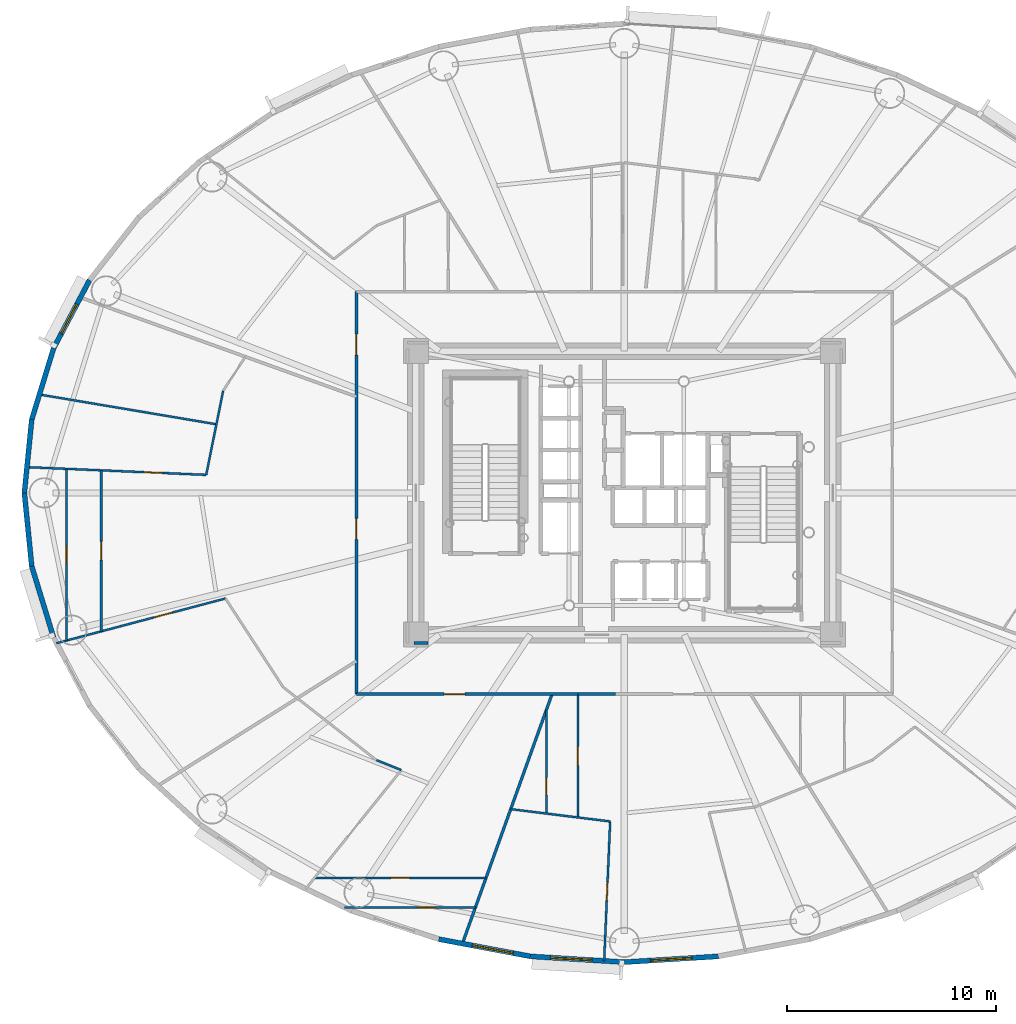
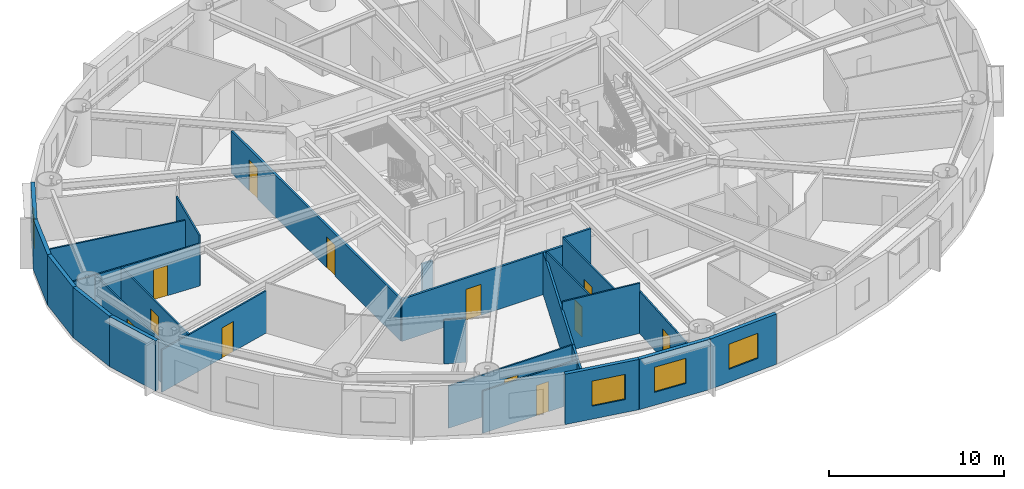
# One storey, part 8 of 18: 26 walls, 12 doors, 4 windows, 16 openings.
"""IFC4 building model written with IfcOpenShell, lengths in metres."""

import ifcopenshell
import ifcopenshell.guid

model = None  # the IFC model being written
_history = None  # IfcOwnerHistory: only IFC2X3 demands one
_inside = {}  # id of a spatial element -> (the spatial element, [elements in it])
_under = {}  # id of a project, library or spatial element -> (it, [spatial elements below it])
_declared = {}  # id of a project -> (the project, [libraries it declares])
_typed = {}  # id of a type object -> (the type object, [elements of that type])
_made_of = {}  # id of a material, layer set ... -> (it, [elements and type objects made of it])


def new_model(schema):
    """Start an empty IFC model of exactly this schema.

    Asked for "IFC4X3", IfcOpenShell would pick the latest addendum, in which some entities
    have other attributes; the version numbers below select the first issue.
    IFC2X3 requires an IfcOwnerHistory on every rooted entity: one is made here for all.
    """
    global model, _history
    if schema == "IFC4X3":
        model = ifcopenshell.file(schema_version=(4, 3, 0, 0))
    else:
        model = ifcopenshell.file(schema=schema)
    _inside.clear()
    _under.clear()
    _declared.clear()
    _typed.clear()
    _made_of.clear()
    _history = None
    if model.schema == "IFC2X3":
        org = make("IfcOrganization", Name="unknown")
        user = make(
            "IfcPersonAndOrganization",
            ThePerson=make("IfcPerson", FamilyName="unknown"),
            TheOrganization=org,
        )
        app = make(
            "IfcApplication",
            ApplicationDeveloper=org,
            Version="unknown",
            ApplicationFullName="unknown",
            ApplicationIdentifier="unknown",
        )
        _history = make(
            "IfcOwnerHistory",
            OwningUser=user,
            OwningApplication=app,
            ChangeAction="ADDED",
            CreationDate=0,
        )
    return model


def make(cls, **values):
    """One entity of the class cls with the attributes given. An attribute that is None is left unset."""
    return model.create_entity(
        cls, **{name: value for name, value in values.items() if value is not None}
    )


def rooted(cls, **values):
    """An entity with a GlobalId (a new one), such as an element, a storey or a relation."""
    return make(cls, GlobalId=ifcopenshell.guid.new(), OwnerHistory=_history, **values)


def si_unit(unit_type, name, prefix=None):
    """IfcSIUnit, for example si_unit("LENGTHUNIT", "METRE", prefix="MILLI")."""
    return make("IfcSIUnit", UnitType=unit_type, Prefix=prefix, Name=name)


def assignment(units):
    """IfcUnitAssignment: the units of a project."""
    return None if units is None else make("IfcUnitAssignment", Units=units)


def point(xyz):
    """IfcCartesianPoint."""
    return None if xyz is None else make("IfcCartesianPoint", Coordinates=xyz)


def direction(xyz):
    """IfcDirection."""
    return None if xyz is None else make("IfcDirection", DirectionRatios=xyz)


def frame(location, z_axis=None, x_axis=None):
    """IfcAxis2Placement3D, a coordinate frame: its origin and axes. An axis left out is left unset."""
    return make(
        "IfcAxis2Placement3D",
        Location=point(location),
        Axis=direction(z_axis),
        RefDirection=direction(x_axis),
    )


def frame_2d(location, x_axis=None):
    """IfcAxis2Placement2D, a coordinate frame in the plane: its origin and x axis."""
    return make(
        "IfcAxis2Placement2D", Location=point(location), RefDirection=direction(x_axis)
    )


def origin():
    """The frame at (0, 0, 0) with its axes left unset."""
    return frame((0.0, 0.0, 0.0))


def origin_2d():
    """The frame at (0, 0) in the plane with its x axis left unset."""
    return frame_2d((0.0, 0.0))


def place(relative_to, where):
    """IfcLocalPlacement: puts the frame where relative to a parent placement (None: the world)."""
    return make(
        "IfcLocalPlacement", PlacementRelTo=relative_to, RelativePlacement=where
    )


def context(
    kind, dimensions, precision=None, world=None, true_north=None, identifier=None
):
    """IfcGeometricRepresentationContext, for example the 3D "Model" context."""
    return make(
        "IfcGeometricRepresentationContext",
        ContextIdentifier=identifier,
        ContextType=kind,
        CoordinateSpaceDimension=dimensions,
        Precision=precision,
        WorldCoordinateSystem=world,
        TrueNorth=true_north,
    )


def subcontext(parent, identifier, kind, view, scale=None):
    """IfcGeometricRepresentationSubContext, for example "Body" below "Model"."""
    return make(
        "IfcGeometricRepresentationSubContext",
        ContextIdentifier=identifier,
        ContextType=kind,
        ParentContext=parent,
        TargetScale=scale,
        TargetView=view,
    )


def project(units=None, contexts=None):
    """IfcProject with its units and contexts."""
    return rooted(
        "IfcProject",
        Name="project",
        RepresentationContexts=contexts,
        UnitsInContext=assignment(units),
    )


def spatial(cls, under=None, at=None, **own):
    """A site, building, storey or space (cls), placed at a placement, below another one or the project."""
    s = rooted(cls, ObjectPlacement=at, **own)
    if under is not None:
        _under.setdefault(under.id(), (under, []))[1].append(s)
    return s


def profile(cls, at=None, kind="AREA", **sizes):
    """A parametric profile (cls). Its sizes go by their IFC names, for example OverallWidth=200.0."""
    return make(cls, ProfileType=kind, Position=at, **sizes)


def rectangle(**sizes):
    """IfcRectangleProfileDef."""
    return profile("IfcRectangleProfileDef", **sizes)


def extrude(swept, where, along, depth):
    """IfcExtrudedAreaSolid: the profile swept, set in the frame where, extruded along a direction by depth."""
    return make(
        "IfcExtrudedAreaSolid",
        SweptArea=swept,
        Position=where,
        ExtrudedDirection=direction(along),
        Depth=depth,
    )


def shape(context_of_items, identifier, shape_type, items):
    """IfcShapeRepresentation: the items that make up one representation, for example the "Body"."""
    return make(
        "IfcShapeRepresentation",
        ContextOfItems=context_of_items,
        RepresentationIdentifier=identifier,
        RepresentationType=shape_type,
        Items=items,
    )


def source(mapping_origin, context_of_items, identifier, shape_type, items):
    """IfcRepresentationMap: a shape defined once, which mapped items show again and again."""
    return make(
        "IfcRepresentationMap",
        MappingOrigin=mapping_origin,
        MappedRepresentation=shape(context_of_items, identifier, shape_type, items),
    )


def transform(
    local_origin,
    x_axis=None,
    y_axis=None,
    z_axis=None,
    scale=None,
    scale2=None,
    scale3=None,
    uniform=True,
):
    """IfcCartesianTransformationOperator3D, or its non-uniform kind. x_axis, y_axis, z_axis: its Axis1, 2, 3."""
    if uniform:
        return make(
            "IfcCartesianTransformationOperator3D",
            Axis1=direction(x_axis),
            Axis2=direction(y_axis),
            LocalOrigin=point(local_origin),
            Scale=scale,
            Axis3=direction(z_axis),
        )
    return make(
        "IfcCartesianTransformationOperator3DnonUniform",
        Axis1=direction(x_axis),
        Axis2=direction(y_axis),
        LocalOrigin=point(local_origin),
        Scale=scale,
        Axis3=direction(z_axis),
        Scale2=scale2,
        Scale3=scale3,
    )


def mapped(mapping_source, mapping_target):
    """IfcMappedItem: shows the shape of a source again, moved by a transform."""
    return make(
        "IfcMappedItem", MappingSource=mapping_source, MappingTarget=mapping_target
    )


def material(Name=None, Category=None):
    """IfcMaterial."""
    return make("IfcMaterial", Name=Name, Category=Category)


def layer(
    of_material, thickness, ventilated=None, Name=None, Category=None, Priority=None
):
    """IfcMaterialLayer: one layer of a wall or slab, of a material (None: an air gap)."""
    return make(
        "IfcMaterialLayer",
        Material=of_material,
        LayerThickness=thickness,
        IsVentilated=ventilated,
        Name=Name,
        Category=Category,
        Priority=Priority,
    )


def layer_set(layers, Name=None):
    """IfcMaterialLayerSet."""
    return make("IfcMaterialLayerSet", MaterialLayers=layers, LayerSetName=Name)


def made_of(thing, what):
    """Note that an element or type object is made of a material, layer set ...; save() writes the relation."""
    if what is not None:
        _made_of.setdefault(what.id(), (what, []))[1].append(thing)
    return thing


def type_object(cls, material=None, **own):
    """A type object (cls), such as IfcWallType, which elements share."""
    return made_of(rooted(cls, **own), material)


def element(
    cls,
    number,
    at=None,
    inside=None,
    cuts=None,
    type_object=None,
    material=None,
    context=None,
    identifier="Body",
    shape_type=None,
    held_by="IfcProductDefinitionShape",
    body=None,
    shapes=None,
    **own,
):
    """One element of the class cls, such as IfcWall. Its Tag is "e" and its number.

    at: its placement. inside: the storey or other place that contains it. cuts: it is an
    opening in that element (IfcRelVoidsElement). A single representation is given by context,
    identifier, shape_type and body (its items); several are given by shapes. held_by: the class
    of the entity that holds the representations. save() writes the other relations.
    """
    e = rooted(cls, Tag="e%d" % number, ObjectPlacement=at, **own)
    if body is not None:
        shapes = [shape(context, identifier, shape_type, body)]
    if shapes is not None:
        e.Representation = make(held_by, Representations=shapes)
    if inside is not None:
        _inside.setdefault(inside.id(), (inside, []))[1].append(e)
    if cuts is not None:
        rooted(
            "IfcRelVoidsElement", RelatingBuildingElement=cuts, RelatedOpeningElement=e
        )
    if type_object is not None:
        _typed.setdefault(type_object.id(), (type_object, []))[1].append(e)
    return made_of(e, material)


def fill(opening, filler):
    """IfcRelFillsElement: the door or window that sits in an opening."""
    return rooted(
        "IfcRelFillsElement",
        RelatingOpeningElement=opening,
        RelatedBuildingElement=filler,
    )


def aggregate(whole, parts):
    """IfcRelAggregates: a whole, such as a stair, and the parts it consists of."""
    return rooted("IfcRelAggregates", RelatingObject=whole, RelatedObjects=parts)


def save(model, path):
    """Write the relations noted so far, then the file.

    IfcRelAggregates (storeys below a building ...), IfcRelContainedInSpatialStructure (elements
    in a storey), IfcRelDefinesByType, IfcRelAssociatesMaterial and IfcRelDeclares: one each for
    every whole, place, type object, material and project.
    """
    for whole, parts in _under.values():
        aggregate(whole, parts)
    for where, things in _inside.values():
        rooted(
            "IfcRelContainedInSpatialStructure",
            RelatedElements=things,
            RelatingStructure=where,
        )
    for kind, things in _typed.values():
        rooted("IfcRelDefinesByType", RelatedObjects=things, RelatingType=kind)
    for what, things in _made_of.values():
        rooted("IfcRelAssociatesMaterial", RelatedObjects=things, RelatingMaterial=what)
    for by, libraries in _declared.values():
        rooted("IfcRelDeclares", RelatingContext=by, RelatedDefinitions=libraries)
    model.write(path)


model = new_model("IFC4")

# Units and contexts
model_context = context("Model", 3, precision=1e-05, world=origin(), true_north=direction((0.0, 1.0)))
body_context = subcontext(model_context, "Body", "Model", "MODEL_VIEW")
ifc_project = project(units=[si_unit("LENGTHUNIT", "METRE"), si_unit("AREAUNIT", "SQUARE_METRE"), si_unit("VOLUMEUNIT", "CUBIC_METRE"), si_unit("PLANEANGLEUNIT", "RADIAN"), si_unit("MASSUNIT", "GRAM", prefix="KILO")], contexts=[model_context])

# Site, building, storey
site_placement = place(None, origin())
site = spatial("IfcSite", under=ifc_project, at=site_placement, CompositionType="ELEMENT")
building_placement = place(site_placement, origin())
building = spatial("IfcBuilding", under=site, at=building_placement, Name="Linh Dai School and Residence Tower", CompositionType="ELEMENT")
storey_placement = place(building_placement, frame((0.0, 0.0, 123.449951171875)))
storey = spatial("IfcBuildingStorey", under=building, at=storey_placement, Name="L29", CompositionType="ELEMENT", Elevation=123.449951171875)

# Wall, opening, window
ifc_material_1 = material(Name="Precast Concrete B45 (C35/45)", Category="concrete")
ifc_layer_1 = layer(ifc_material_1, 0.239990234375)
ifc_layer_set_1 = layer_set([ifc_layer_1], Name="Precast Concrete B45 (C35/45)")
wall_type_1 = type_object("IfcWallType", Name="EW-TC-240", PredefinedType="SOLIDWALL", material=ifc_layer_set_1)
wall_1_placement = place(storey_placement, frame((8.6298828125, 33.945068359375, 0.0), z_axis=(0.0, 0.0, 1.0), x_axis=(0.467614004126, 0.883932770716, 0.0)))
wall_1 = element("IfcWall", 1, at=wall_1_placement, inside=storey, type_object=wall_type_1, Name="L29 Terracotta Exterior Wall 18", PredefinedType="SOLIDWALL", context=body_context, shape_type="SweptSolid", body=[
    extrude(rectangle(XDim=3.688720703125, YDim=0.239990234375, at=frame_2d((1.84423828125, 0.0))), origin(), (0.0, 0.0, 1.0), 3.5),
])
opening_1_placement = place(wall_1_placement, frame((0.778076171875, 0.0, 0.89990234375)))
opening_1 = element("IfcOpeningElement", 2, at=opening_1_placement, cuts=wall_1, Name="Opening W2", PredefinedType="OPENING", context=body_context, shape_type="SweptSolid", body=[
    extrude(rectangle(XDim=1.60009765625, YDim=1.75, at=origin_2d()), frame((0.800048828125, 0.1298828125, 0.875), z_axis=(0.0, -1.0, 0.0), x_axis=(1.0, 0.0, 0.0)), (0.0, 0.0, 1.0), 0.260009765625),
])
ifc_material_2 = material(Name="Double Low-E Insulated Glazing", Category="glass")
window_type_1 = type_object("IfcWindowType", Name="WN-RES-1600x1750", PartitioningType="DOUBLE_PANEL_VERTICAL", PredefinedType="WINDOW", material=ifc_material_2)
shared_shape_1 = source(origin(), body_context, "Body", "SweptSolid", [
    extrude(rectangle(XDim=1.60009765625, YDim=1.75, at=origin_2d()), frame((0.800048828125, 0.030029296875, 0.875), z_axis=(0.0, -1.0, 0.0), x_axis=(1.0, 0.0, 0.0)), (0.0, 0.0, 1.0), 0.06005859375),
])
window_1_placement = place(opening_1_placement, origin())
window_1 = element("IfcWindow", 3, at=window_1_placement, inside=storey, type_object=window_type_1, Name="L29 Exterior Window 18.1", OverallHeight=1.75, OverallWidth=1.60009765625, PartitioningType="DOUBLE_PANEL_VERTICAL", PredefinedType="WINDOW", context=body_context, shape_type="MappedRepresentation", body=[
    mapped(shared_shape_1, transform((0.0, 0.0, 0.0), x_axis=(1.0, 0.0, 0.0), y_axis=(0.0, 1.0, 0.0), z_axis=(0.0, 0.0, 1.0), scale=1.0)),
])
fill(opening_1, window_1)

# Walls
wall_2_placement = place(storey_placement, frame((7.578369140625, 30.515380859375, 0.0), z_axis=(0.0, 0.0, 1.0), x_axis=(0.293124431344, 0.956074300329, 0.0)))
element("IfcWall", 4, at=wall_2_placement, inside=storey, type_object=wall_type_1, Name="L29 Terracotta Exterior Wall 19", PredefinedType="SOLIDWALL", context=body_context, shape_type="SweptSolid", body=[
    extrude(rectangle(XDim=3.587158203125, YDim=0.239990234375, at=frame_2d((1.79345703125, 0.0))), origin(), (0.0, 0.0, 1.0), 3.5),
])
for number, where, z_axis, x_axis, name in (
    (5, (7.22509765625, 27.0, 0.0), (0.0, 0.0, 1.0), (0.099989468229, 0.994988495533, 0.0), "L29 Terracotta Exterior Wall 20"),
    (6, (7.578369140625, 23.484619140625, 0.0), (0.0, 0.0, 1.0), (-0.099989468229, 0.994988495533, 0.0), "L29 Terracotta Exterior Wall 21"),
):
    element("IfcWall", number, at=place(storey_placement, frame(where, z_axis=z_axis, x_axis=x_axis)), inside=storey, type_object=wall_type_1, Name=name, PredefinedType="SOLIDWALL", context=body_context, shape_type="SweptSolid", body=[
        extrude(rectangle(XDim=3.533203125, YDim=0.239990234375, at=frame_2d((1.7666015625, 0.0))), origin(), (0.0, 0.0, 1.0), 3.5),
    ])
wall_3_placement = place(storey_placement, frame((8.6298828125, 20.054931640625, 0.0), z_axis=(0.0, 0.0, 1.0), x_axis=(-0.293124431344, 0.956074300329, 0.0)))
element("IfcWall", 7, at=wall_3_placement, inside=storey, type_object=wall_type_1, Name="L29 Terracotta Exterior Wall 22", PredefinedType="SOLIDWALL", context=body_context, shape_type="SweptSolid", body=[
    extrude(rectangle(XDim=3.587158203125, YDim=0.239990234375, at=frame_2d((1.79345703125, 0.0))), origin(), (0.0, 0.0, 1.0), 3.5),
])

# Wall, opening, window
wall_4_placement = place(storey_placement, frame((31.494384765625, 4.772705078125, 0.0), z_axis=(0.0, 0.0, 1.0), x_axis=(-0.982789252177, 0.184730305596, 0.0)))
wall_4 = element("IfcWall", 8, at=wall_4_placement, inside=storey, type_object=wall_type_1, Name="L29 Terracotta Exterior Wall 29", PredefinedType="SOLIDWALL", context=body_context, shape_type="SweptSolid", body=[
    extrude(rectangle(XDim=4.470947265625, YDim=0.239990234375, at=frame_2d((2.2353515625, 0.0))), origin(), (0.0, 0.0, 1.0), 3.5),
])
opening_2_placement = place(wall_4_placement, frame((0.843017578125, 0.0, 0.89990234375)))
opening_2 = element("IfcOpeningElement", 9, at=opening_2_placement, cuts=wall_4, Name="Opening W1", PredefinedType="OPENING", context=body_context, shape_type="SweptSolid", body=[
    extrude(rectangle(XDim=2.0, YDim=1.75, at=origin_2d()), frame((1.0, 0.1298828125, 0.875), z_axis=(0.0, -1.0, 0.0), x_axis=(1.0, 0.0, 0.0)), (0.0, 0.0, 1.0), 0.260009765625),
])
window_type_2 = type_object("IfcWindowType", Name="WN-RES-2000x1750", PartitioningType="DOUBLE_PANEL_VERTICAL", PredefinedType="WINDOW", material=ifc_material_2)
shared_shape_2 = source(origin(), body_context, "Body", "SweptSolid", [
    extrude(rectangle(XDim=2.0, YDim=1.75, at=origin_2d()), frame((1.0, 0.030029296875, 0.875), z_axis=(0.0, -1.0, 0.0), x_axis=(1.0, 0.0, 0.0)), (0.0, 0.0, 1.0), 0.06005859375),
])
window_2_placement = place(opening_2_placement, origin())
window_2 = element("IfcWindow", 10, at=window_2_placement, inside=storey, type_object=window_type_2, Name="L29 Exterior Window 29.1", OverallHeight=1.75, OverallWidth=2.0, PartitioningType="DOUBLE_PANEL_VERTICAL", PredefinedType="WINDOW", context=body_context, shape_type="MappedRepresentation", body=[
    mapped(shared_shape_2, transform((0.0, 0.0, 0.0), x_axis=(1.0, 0.0, 0.0), y_axis=(0.0, 1.0, 0.0), z_axis=(0.0, 0.0, 1.0), scale=1.0)),
])
fill(opening_2, window_2)

wall_5_placement = place(storey_placement, frame((36.0, 4.4951171875, 0.0), z_axis=(0.0, 0.0, 1.0), x_axis=(-0.998107531589, 0.061492726276, 0.0)))
wall_5 = element("IfcWall", 11, at=wall_5_placement, inside=storey, type_object=wall_type_1, Name="L29 Terracotta Exterior Wall 30", PredefinedType="SOLIDWALL", context=body_context, shape_type="SweptSolid", body=[
    extrude(rectangle(XDim=4.51416015625, YDim=0.239990234375, at=frame_2d((2.257080078125, 0.0))), origin(), (0.0, 0.0, 1.0), 3.5),
])
opening_3_placement = place(wall_5_placement, frame((1.549560546875, 0.0, 0.89990234375)))
opening_3 = element("IfcOpeningElement", 12, at=opening_3_placement, cuts=wall_5, Name="Opening W1", PredefinedType="OPENING", context=body_context, shape_type="SweptSolid", body=[
    extrude(rectangle(XDim=2.0, YDim=1.75, at=origin_2d()), frame((1.0, 0.1298828125, 0.875), z_axis=(0.0, -1.0, 0.0), x_axis=(1.0, 0.0, 0.0)), (0.0, 0.0, 1.0), 0.260009765625),
])
window_3_placement = place(opening_3_placement, origin())
window_3 = element("IfcWindow", 13, at=window_3_placement, inside=storey, type_object=window_type_2, Name="L29 Exterior Window 30.1", OverallHeight=1.75, OverallWidth=2.0, PartitioningType="DOUBLE_PANEL_VERTICAL", PredefinedType="WINDOW", context=body_context, shape_type="MappedRepresentation", body=[
    mapped(shared_shape_2, transform((0.0, 0.0, 0.0), x_axis=(1.0, 0.0, 0.0), y_axis=(0.0, 1.0, 0.0), z_axis=(0.0, 0.0, 1.0), scale=1.0)),
])
fill(opening_3, window_3)

wall_6_placement = place(storey_placement, frame((40.505615234375, 4.772705078125, 0.0), z_axis=(0.0, 0.0, 1.0), x_axis=(-0.998107531589, -0.061492726276, 0.0)))
wall_6 = element("IfcWall", 14, at=wall_6_placement, inside=storey, type_object=wall_type_1, Name="L29 Terracotta Exterior Wall 31", PredefinedType="SOLIDWALL", context=body_context, shape_type="SweptSolid", body=[
    extrude(rectangle(XDim=4.51416015625, YDim=0.239990234375, at=frame_2d((2.257080078125, 0.0))), origin(), (0.0, 0.0, 1.0), 3.5),
])
opening_4_placement = place(wall_6_placement, frame((1.257080078125, 0.0, 0.89990234375)))
opening_4 = element("IfcOpeningElement", 15, at=opening_4_placement, cuts=wall_6, Name="Opening W1", PredefinedType="OPENING", context=body_context, shape_type="SweptSolid", body=[
    extrude(rectangle(XDim=2.0, YDim=1.75, at=origin_2d()), frame((1.0, 0.1298828125, 0.875), z_axis=(0.0, -1.0, 0.0), x_axis=(1.0, 0.0, 0.0)), (0.0, 0.0, 1.0), 0.260009765625),
])
window_4_placement = place(opening_4_placement, origin())
window_4 = element("IfcWindow", 16, at=window_4_placement, inside=storey, type_object=window_type_2, Name="L29 Exterior Window 31.1", OverallHeight=1.75, OverallWidth=2.0, PartitioningType="DOUBLE_PANEL_VERTICAL", PredefinedType="WINDOW", context=body_context, shape_type="MappedRepresentation", body=[
    mapped(shared_shape_2, transform((0.0, 0.0, 0.0), x_axis=(1.0, 0.0, 0.0), y_axis=(0.0, 1.0, 0.0), z_axis=(0.0, 0.0, 1.0), scale=1.0)),
])
fill(opening_4, window_4)

# Wall, openings, doors
ifc_material_3 = material(Name="Autoclaved Aerated Concrete Blockwork", Category="masonry")
ifc_layer_2 = layer(ifc_material_3, 0.135009765625)
ifc_layer_set_2 = layer_set([ifc_layer_2], Name="Autoclaved Aerated Concrete Blockwork")
wall_type_2 = type_object("IfcWallType", Name="IW-CORR-135-EI90", PredefinedType="PARTITIONING", material=ifc_layer_set_2)
wall_7_placement = place(storey_placement, frame((23.14990234375, 17.35009765625, 0.0), z_axis=(0.0, 0.0, 1.0), x_axis=(0.0, 1.0, 0.0)))
wall_7 = element("IfcWall", 17, at=wall_7_placement, inside=storey, type_object=wall_type_2, Name="L29 Interior Partition Wall 017", PredefinedType="PARTITIONING", context=body_context, shape_type="SweptSolid", body=[
    extrude(rectangle(XDim=19.2998046875, YDim=0.135009765625, at=frame_2d((9.64990234375, 0.0))), origin(), (0.0, 0.0, 1.0), 2.93505859375),
])
opening_5_placement = place(wall_7_placement, frame((16.263671875, 0.0, 0.0)))
opening_5 = element("IfcOpeningElement", 18, at=opening_5_placement, cuts=wall_7, Name="Opening D03", PredefinedType="OPENING", context=body_context, shape_type="SweptSolid", body=[
    extrude(rectangle(XDim=1.0, YDim=2.14990234375, at=origin_2d()), frame((0.5, 0.07763671875, 1.074951171875), z_axis=(0.0, -1.0, 0.0), x_axis=(1.0, 0.0, 0.0)), (0.0, 0.0, 1.0), 0.155029296875),
])
opening_6_placement = place(wall_7_placement, frame((7.425537109375, 0.0, 0.0)))
opening_6 = element("IfcOpeningElement", 19, at=opening_6_placement, cuts=wall_7, Name="Opening D03", PredefinedType="OPENING", context=body_context, shape_type="SweptSolid", body=[
    extrude(rectangle(XDim=1.0, YDim=2.14990234375, at=origin_2d()), frame((0.5, 0.07763671875, 1.074951171875), z_axis=(0.0, -1.0, 0.0), x_axis=(1.0, 0.0, 0.0)), (0.0, 0.0, 1.0), 0.155029296875),
])
ifc_material_4 = material(Name="Fire-Rated Solid Timber Entrance Door", Category="wood")
door_type_1 = type_object("IfcDoorType", Name="DR-FLAT-1000x2150-FD60S", OperationType="NOTDEFINED", PredefinedType="DOOR", material=ifc_material_4)
shared_shape_3 = source(origin(), body_context, "Body", "SweptSolid", [
    extrude(rectangle(XDim=1.0, YDim=2.14990234375, at=origin_2d()), frame((0.5, 0.02490234375, 1.074951171875), z_axis=(0.0, -1.0, 0.0), x_axis=(1.0, 0.0, 0.0)), (0.0, 0.0, 1.0), 0.050048828125),
])
door_1_placement = place(opening_5_placement, origin())
door_1 = element("IfcDoor", 20, at=door_1_placement, inside=storey, type_object=door_type_1, Name="L29 U2902 Apartment Entrance Door", OperationType="SINGLE_SWING_LEFT", OverallHeight=2.14990234375, OverallWidth=1.0, PredefinedType="DOOR", context=body_context, shape_type="MappedRepresentation", body=[
    mapped(shared_shape_3, transform((0.0, 0.0, 0.0), x_axis=(1.0, 0.0, 0.0), y_axis=(0.0, 1.0, 0.0), z_axis=(0.0, 0.0, 1.0), scale=1.0)),
])
fill(opening_5, door_1)
door_2_placement = place(opening_6_placement, origin())
door_2 = element("IfcDoor", 21, at=door_2_placement, inside=storey, type_object=door_type_1, Name="L29 U2903 Apartment Entrance Door", OperationType="SINGLE_SWING_LEFT", OverallHeight=2.14990234375, OverallWidth=1.0, PredefinedType="DOOR", context=body_context, shape_type="MappedRepresentation", body=[
    mapped(shared_shape_3, transform((0.0, 0.0, 0.0), x_axis=(1.0, 0.0, 0.0), y_axis=(0.0, 1.0, 0.0), z_axis=(0.0, 0.0, 1.0), scale=1.0)),
])
fill(opening_6, door_2)

# Wall, opening, door
wall_8_placement = place(storey_placement, frame((23.14990234375, 17.35009765625, 0.0), z_axis=(0.0, 0.0, 1.0), x_axis=(1.0, 0.0, 0.0)))
wall_8 = element("IfcWall", 22, at=wall_8_placement, inside=storey, type_object=wall_type_2, Name="L29 Interior Partition Wall 018", PredefinedType="PARTITIONING", context=body_context, shape_type="SweptSolid", body=[
    extrude(rectangle(XDim=10.618896484375, YDim=0.135009765625, at=frame_2d((5.3095703125, 0.0))), origin(), (0.0, 0.0, 1.0), 2.93505859375),
])
opening_7_placement = place(wall_8_placement, frame((4.211181640625, 0.0, 0.0)))
opening_7 = element("IfcOpeningElement", 23, at=opening_7_placement, cuts=wall_8, Name="Opening D03", PredefinedType="OPENING", context=body_context, shape_type="SweptSolid", body=[
    extrude(rectangle(XDim=1.0, YDim=2.14990234375, at=origin_2d()), frame((0.5, 0.07763671875, 1.074951171875), z_axis=(0.0, -1.0, 0.0), x_axis=(1.0, 0.0, 0.0)), (0.0, 0.0, 1.0), 0.155029296875),
])
door_3_placement = place(opening_7_placement, origin())
door_3 = element("IfcDoor", 24, at=door_3_placement, inside=storey, type_object=door_type_1, Name="L29 U2904 Apartment Entrance Door", OperationType="SINGLE_SWING_LEFT", OverallHeight=2.14990234375, OverallWidth=1.0, PredefinedType="DOOR", context=body_context, shape_type="MappedRepresentation", body=[
    mapped(shared_shape_3, transform((0.0, 0.0, 0.0), x_axis=(1.0, 0.0, 0.0), y_axis=(0.0, 1.0, 0.0), z_axis=(0.0, 0.0, 1.0), scale=1.0)),
])
fill(opening_7, door_3)

# Walls
wall_9_placement = place(storey_placement, frame((28.231689453125, 5.380859375, 0.0), z_axis=(0.0, 0.0, 1.0), x_axis=(0.338158615332, 0.941089130145, 0.0)))
element("IfcWall", 25, at=wall_9_placement, inside=storey, type_object=wall_type_2, Name="L29 Interior Partition Wall 026", PredefinedType="PARTITIONING", context=body_context, shape_type="SweptSolid", body=[
    extrude(rectangle(XDim=12.71826171875, YDim=0.135009765625, at=frame_2d((6.359130859375, 0.0))), origin(), (0.0, 0.0, 1.0), 2.93505859375),
])
wall_10_placement = place(storey_placement, frame((35.57373046875, 17.35009765625, 0.0), z_axis=(0.0, 0.0, 1.0), x_axis=(-1.0, 0.0, 0.0)))
element("IfcWall", 26, at=wall_10_placement, inside=storey, type_object=wall_type_2, Name="L29 Interior Partition Wall 109", PredefinedType="PARTITIONING", context=body_context, shape_type="SweptSolid", body=[
    extrude(rectangle(XDim=1.794921875, YDim=0.135009765625, at=frame_2d((0.8974609375, 0.0))), origin(), (0.0, 0.0, 1.0), 3.5),
])
wall_11_placement = place(storey_placement, frame((25.907470703125, 19.800048828125, 0.0), z_axis=(0.0, 0.0, 1.0), x_axis=(1.0, 0.0, 0.0)))
element("IfcWall", 27, at=wall_11_placement, inside=storey, type_object=wall_type_2, Name="L29 Interior Partition Wall 114", PredefinedType="PARTITIONING", context=body_context, shape_type="SweptSolid", body=[
    extrude(rectangle(XDim=0.6826171875, YDim=0.135009765625, at=frame_2d((0.34130859375, 0.0))), origin(), (0.0, 0.0, 1.0), 2.93505859375),
])

# Wall, opening, door
ifc_material_5 = material(Name="Gypsum Plasterboard Acoustic Stud Partition", Category="masonry")
ifc_layer_3 = layer(ifc_material_5, 0.10009765625)
ifc_layer_set_3 = layer_set([ifc_layer_3], Name="Gypsum Plasterboard Acoustic Stud Partition")
wall_type_3 = type_object("IfcWallType", Name="IW-UNIT-100", PredefinedType="PARTITIONING", material=ifc_layer_set_3)
wall_12_placement = place(storey_placement, frame((7.34423828125, 28.236328125, 0.0), z_axis=(0.0, 0.0, 1.0), x_axis=(0.9990704445, -0.043107388317, 0.0)))
wall_12 = element("IfcWall", 28, at=wall_12_placement, inside=storey, type_object=wall_type_3, Name="L29 Interior Partition Wall 001", PredefinedType="PARTITIONING", context=body_context, shape_type="SweptSolid", body=[
    extrude(rectangle(XDim=8.608642578125, YDim=0.10009765625, at=frame_2d((4.30419921875, 0.0))), origin(), (0.0, 0.0, 1.0), 2.93505859375),
])
opening_8_placement = place(wall_12_placement, frame((5.62109375, 0.0, 0.0)))
opening_8 = element("IfcOpeningElement", 29, at=opening_8_placement, cuts=wall_12, Name="Opening D05", PredefinedType="OPENING", context=body_context, shape_type="SweptSolid", body=[
    extrude(rectangle(XDim=0.89990234375, YDim=2.10009765625, at=origin_2d()), frame((0.449951171875, 0.06005859375, 1.050048828125), z_axis=(0.0, -1.0, 0.0), x_axis=(1.0, 0.0, 0.0)), (0.0, 0.0, 1.0), 0.1201171875),
])
ifc_material_6 = material(Name="Engineered Timber Internal Door", Category="wood")
door_type_2 = type_object("IfcDoorType", Name="DR-INT-900x2100", OperationType="NOTDEFINED", PredefinedType="DOOR", material=ifc_material_6)
shared_shape_4 = source(origin(), body_context, "Body", "SweptSolid", [
    extrude(rectangle(XDim=0.89990234375, YDim=2.10009765625, at=origin_2d()), frame((0.449951171875, 0.02490234375, 1.050048828125), z_axis=(0.0, -1.0, 0.0), x_axis=(1.0, 0.0, 0.0)), (0.0, 0.0, 1.0), 0.050048828125),
])
door_4_placement = place(opening_8_placement, origin())
door_4 = element("IfcDoor", 30, at=door_4_placement, inside=storey, type_object=door_type_2, Name="L29 Apartment U2903 Study Door", OperationType="SINGLE_SWING_LEFT", OverallHeight=2.10009765625, OverallWidth=0.89990234375, PredefinedType="DOOR", context=body_context, shape_type="MappedRepresentation", body=[
    mapped(shared_shape_4, transform((0.0, 0.0, 0.0), x_axis=(1.0, 0.0, 0.0), y_axis=(0.0, 1.0, 0.0), z_axis=(0.0, 0.0, 1.0), scale=1.0)),
])
fill(opening_8, door_4)

# Wall
wall_13_placement = place(storey_placement, frame((7.94287109375, 31.720947265625, 0.0), z_axis=(0.0, 0.0, 1.0), x_axis=(0.986139151265, -0.165920385556, 0.0)))
element("IfcWall", 31, at=wall_13_placement, inside=storey, type_object=wall_type_3, Name="L29 Interior Partition Wall 002", PredefinedType="PARTITIONING", context=body_context, shape_type="SweptSolid", body=[
    extrude(rectangle(XDim=8.6123046875, YDim=0.10009765625, at=frame_2d((4.30615234375, 0.0))), origin(), (0.0, 0.0, 1.0), 2.93505859375),
])

# Wall, opening, door
wall_14_placement = place(storey_placement, frame((8.763427734375, 19.791748046875, 0.0), z_axis=(0.0, 0.0, 1.0), x_axis=(0.96671793708, 0.255844542893, 0.0)))
wall_14 = element("IfcWall", 32, at=wall_14_placement, inside=storey, type_object=wall_type_3, Name="L29 Interior Partition Wall 003", PredefinedType="PARTITIONING", context=body_context, shape_type="SweptSolid", body=[
    extrude(rectangle(XDim=8.385009765625, YDim=0.10009765625, at=frame_2d((4.1923828125, 0.0))), origin(), (0.0, 0.0, 1.0), 2.93505859375),
])
opening_9_placement = place(wall_14_placement, frame((4.835205078125, 0.0, 0.0)))
opening_9 = element("IfcOpeningElement", 33, at=opening_9_placement, cuts=wall_14, Name="Opening D05", PredefinedType="OPENING", context=body_context, shape_type="SweptSolid", body=[
    extrude(rectangle(XDim=0.89990234375, YDim=2.10009765625, at=origin_2d()), frame((0.449951171875, 0.06005859375, 1.050048828125), z_axis=(0.0, -1.0, 0.0), x_axis=(1.0, 0.0, 0.0)), (0.0, 0.0, 1.0), 0.1201171875),
])
door_5_placement = place(opening_9_placement, origin())
door_5 = element("IfcDoor", 34, at=door_5_placement, inside=storey, type_object=door_type_2, Name="L29 Apartment U2903 Principal Bedroom 2 Door", OperationType="SINGLE_SWING_RIGHT", OverallHeight=2.10009765625, OverallWidth=0.89990234375, PredefinedType="DOOR", context=body_context, shape_type="MappedRepresentation", body=[
    mapped(shared_shape_4, transform((0.0, 0.0, 0.0), x_axis=(1.0, 0.0, 0.0), y_axis=(0.0, 1.0, 0.0), z_axis=(0.0, 0.0, 1.0), scale=1.0)),
])
fill(opening_9, door_5)

wall_15_placement = place(storey_placement, frame((9.24609375, 19.91943359375, 0.0), z_axis=(0.0, 0.0, 1.0), x_axis=(0.0, 1.0, 0.0)))
wall_15 = element("IfcWall", 35, at=wall_15_placement, inside=storey, type_object=wall_type_3, Name="L29 Interior Partition Wall 004", PredefinedType="PARTITIONING", context=body_context, shape_type="SweptSolid", body=[
    extrude(rectangle(XDim=8.23486328125, YDim=0.10009765625, at=frame_2d((4.117431640625, 0.0))), origin(), (0.0, 0.0, 1.0), 2.93505859375),
])
opening_10_placement = place(wall_15_placement, frame((3.70751953125, 0.0, 0.0)))
opening_10 = element("IfcOpeningElement", 36, at=opening_10_placement, cuts=wall_15, Name="Opening D06", PredefinedType="OPENING", context=body_context, shape_type="SweptSolid", body=[
    extrude(rectangle(XDim=0.820068359375, YDim=2.10009765625, at=origin_2d()), frame((0.41015625, 0.06005859375, 1.050048828125), z_axis=(0.0, -1.0, 0.0), x_axis=(1.0, 0.0, 0.0)), (0.0, 0.0, 1.0), 0.1201171875),
])
ifc_material_7 = material(Name="Moisture-Resistant Timber Bathroom Door", Category="wood")
door_type_3 = type_object("IfcDoorType", Name="DR-WET-820x2100", OperationType="NOTDEFINED", PredefinedType="DOOR", material=ifc_material_7)
shared_shape_5 = source(origin(), body_context, "Body", "SweptSolid", [
    extrude(rectangle(XDim=0.820068359375, YDim=2.10009765625, at=origin_2d()), frame((0.41015625, 0.02490234375, 1.050048828125), z_axis=(0.0, -1.0, 0.0), x_axis=(1.0, 0.0, 0.0)), (0.0, 0.0, 1.0), 0.050048828125),
])
door_6_placement = place(opening_10_placement, origin())
door_6 = element("IfcDoor", 37, at=door_6_placement, inside=storey, type_object=door_type_3, Name="L29 Apartment U2903 Bathroom 1 Door", OperationType="SINGLE_SWING_RIGHT", OverallHeight=2.10009765625, OverallWidth=0.820068359375, PredefinedType="DOOR", context=body_context, shape_type="MappedRepresentation", body=[
    mapped(shared_shape_5, transform((0.0, 0.0, 0.0), x_axis=(1.0, 0.0, 0.0), y_axis=(0.0, 1.0, 0.0), z_axis=(0.0, 0.0, 1.0), scale=1.0)),
])
fill(opening_10, door_6)

wall_16_placement = place(storey_placement, frame((10.91455078125, 20.361083984375, 0.0), z_axis=(0.0, 0.0, 1.0), x_axis=(0.0, 1.0, 0.0)))
wall_16 = element("IfcWall", 38, at=wall_16_placement, inside=storey, type_object=wall_type_3, Name="L29 Interior Partition Wall 006", PredefinedType="PARTITIONING", context=body_context, shape_type="SweptSolid", body=[
    extrude(rectangle(XDim=7.72119140625, YDim=0.10009765625, at=frame_2d((3.860595703125, 0.0))), origin(), (0.0, 0.0, 1.0), 2.93505859375),
])
opening_11_placement = place(wall_16_placement, frame((3.41064453125, 0.0, 0.0)))
opening_11 = element("IfcOpeningElement", 39, at=opening_11_placement, cuts=wall_16, Name="Opening D05", PredefinedType="OPENING", context=body_context, shape_type="SweptSolid", body=[
    extrude(rectangle(XDim=0.89990234375, YDim=2.10009765625, at=origin_2d()), frame((0.449951171875, 0.06005859375, 1.050048828125), z_axis=(0.0, -1.0, 0.0), x_axis=(1.0, 0.0, 0.0)), (0.0, 0.0, 1.0), 0.1201171875),
])
door_7_placement = place(opening_11_placement, origin())
door_7 = element("IfcDoor", 40, at=door_7_placement, inside=storey, type_object=door_type_2, Name="L29 Apartment U2903 Kitchen Door", OperationType="SINGLE_SWING_LEFT", OverallHeight=2.10009765625, OverallWidth=0.89990234375, PredefinedType="DOOR", context=body_context, shape_type="MappedRepresentation", body=[
    mapped(shared_shape_4, transform((0.0, 0.0, 0.0), x_axis=(1.0, 0.0, 0.0), y_axis=(0.0, 1.0, 0.0), z_axis=(0.0, 0.0, 1.0), scale=1.0)),
])
fill(opening_11, door_7)

# Wall
wall_17_placement = place(storey_placement, frame((15.945068359375, 27.865234375, 0.0), z_axis=(0.0, 0.0, 1.0), x_axis=(0.198216891741, 0.980158183065, 0.0)))
element("IfcWall", 41, at=wall_17_placement, inside=storey, type_object=wall_type_3, Name="L29 Interior Partition Wall 008", PredefinedType="PARTITIONING", context=body_context, shape_type="SweptSolid", body=[
    extrude(rectangle(XDim=4.111328125, YDim=0.10009765625, at=frame_2d((2.0556640625, 0.0))), origin(), (0.0, 0.0, 1.0), 3.5),
])

# Wall, opening, door
wall_18_placement = place(storey_placement, frame((21.140625, 8.5341796875, 0.0), z_axis=(0.0, 0.0, 1.0), x_axis=(1.0, 0.0, 0.0)))
wall_18 = element("IfcWall", 42, at=wall_18_placement, inside=storey, type_object=wall_type_3, Name="L29 Interior Partition Wall 014", PredefinedType="PARTITIONING", context=body_context, shape_type="SweptSolid", body=[
    extrude(rectangle(XDim=8.22412109375, YDim=0.10009765625, at=frame_2d((4.112060546875, 0.0))), origin(), (0.0, 0.0, 1.0), 2.93505859375),
])
opening_12_placement = place(wall_18_placement, frame((3.662109375, 0.0, 0.0)))
opening_12 = element("IfcOpeningElement", 43, at=opening_12_placement, cuts=wall_18, Name="Opening D05", PredefinedType="OPENING", context=body_context, shape_type="SweptSolid", body=[
    extrude(rectangle(XDim=0.89990234375, YDim=2.10009765625, at=origin_2d()), frame((0.449951171875, 0.06005859375, 1.050048828125), z_axis=(0.0, -1.0, 0.0), x_axis=(1.0, 0.0, 0.0)), (0.0, 0.0, 1.0), 0.1201171875),
])
door_8_placement = place(opening_12_placement, origin())
door_8 = element("IfcDoor", 44, at=door_8_placement, inside=storey, type_object=door_type_2, Name="L29 Apartment U2904 Kitchen Door", OperationType="SINGLE_SWING_LEFT", OverallHeight=2.10009765625, OverallWidth=0.89990234375, PredefinedType="DOOR", context=body_context, shape_type="MappedRepresentation", body=[
    mapped(shared_shape_4, transform((0.0, 0.0, 0.0), x_axis=(1.0, 0.0, 0.0), y_axis=(0.0, 1.0, 0.0), z_axis=(0.0, 0.0, 1.0), scale=1.0)),
])
fill(opening_12, door_8)

wall_19_placement = place(storey_placement, frame((22.57373046875, 7.1162109375, 0.0), z_axis=(0.0, 0.0, 1.0), x_axis=(1.0, 0.0, 0.0)))
wall_19 = element("IfcWall", 45, at=wall_19_placement, inside=storey, type_object=wall_type_3, Name="L29 Interior Partition Wall 016", PredefinedType="PARTITIONING", context=body_context, shape_type="SweptSolid", body=[
    extrude(rectangle(XDim=6.281494140625, YDim=0.10009765625, at=frame_2d((3.140625, 0.0))), origin(), (0.0, 0.0, 1.0), 2.93505859375),
])
opening_13_placement = place(wall_19_placement, frame((3.513916015625, 0.0, 0.0)))
opening_13 = element("IfcOpeningElement", 46, at=opening_13_placement, cuts=wall_19, Name="Opening D06", PredefinedType="OPENING", context=body_context, shape_type="SweptSolid", body=[
    extrude(rectangle(XDim=0.820068359375, YDim=2.10009765625, at=origin_2d()), frame((0.41015625, 0.06005859375, 1.050048828125), z_axis=(0.0, -1.0, 0.0), x_axis=(1.0, 0.0, 0.0)), (0.0, 0.0, 1.0), 0.1201171875),
])
door_9_placement = place(opening_13_placement, origin())
door_9 = element("IfcDoor", 47, at=door_9_placement, inside=storey, type_object=door_type_3, Name="L29 Apartment U2904 Bathroom 1 Door", OperationType="SINGLE_SWING_RIGHT", OverallHeight=2.10009765625, OverallWidth=0.820068359375, PredefinedType="DOOR", context=body_context, shape_type="MappedRepresentation", body=[
    mapped(shared_shape_5, transform((0.0, 0.0, 0.0), x_axis=(1.0, 0.0, 0.0), y_axis=(0.0, 1.0, 0.0), z_axis=(0.0, 0.0, 1.0), scale=1.0)),
])
fill(opening_13, door_9)

# Walls
wall_20_placement = place(storey_placement, frame((24.109130859375, 14.184326171875, 0.0), z_axis=(0.0, 0.0, 1.0), x_axis=(0.928816677888, -0.370539578017, 0.0)))
element("IfcWall", 48, at=wall_20_placement, inside=storey, type_object=wall_type_3, Name="L29 Interior Partition Wall 021", PredefinedType="PARTITIONING", context=body_context, shape_type="SweptSolid", body=[
    extrude(rectangle(XDim=1.2861328125, YDim=0.10009765625, at=frame_2d((0.64306640625, 0.0))), origin(), (0.0, 0.0, 1.0), 3.0849609375),
])
wall_21_placement = place(storey_placement, frame((30.55078125, 11.834716796875, 0.0), z_axis=(0.0, 0.0, 1.0), x_axis=(0.992401646286, -0.123040531728, 0.0)))
element("IfcWall", 49, at=wall_21_placement, inside=storey, type_object=wall_type_3, Name="L29 Interior Partition Wall 027", PredefinedType="PARTITIONING", context=body_context, shape_type="SweptSolid", body=[
    extrude(rectangle(XDim=4.805908203125, YDim=0.10009765625, at=frame_2d((2.40283203125, 0.0))), origin(), (0.0, 0.0, 1.0), 3.5),
])

# Wall, opening, door
wall_22_placement = place(storey_placement, frame((32.262451171875, 11.62255859375, 0.0), z_axis=(0.0, 0.0, 1.0), x_axis=(0.0, 1.0, 0.0)))
wall_22 = element("IfcWall", 50, at=wall_22_placement, inside=storey, type_object=wall_type_3, Name="L29 Interior Partition Wall 036", PredefinedType="PARTITIONING", context=body_context, shape_type="SweptSolid", body=[
    extrude(rectangle(XDim=4.955078125, YDim=0.10009765625, at=frame_2d((2.4775390625, 0.0))), origin(), (0.0, 0.0, 1.0), 3.5),
])
opening_14_placement = place(wall_22_placement, frame((0.89892578125, 0.0, 0.0)))
opening_14 = element("IfcOpeningElement", 51, at=opening_14_placement, cuts=wall_22, Name="Opening D06", PredefinedType="OPENING", context=body_context, shape_type="SweptSolid", body=[
    extrude(rectangle(XDim=0.820068359375, YDim=2.10009765625, at=origin_2d()), frame((0.41015625, 0.06005859375, 1.050048828125), z_axis=(0.0, -1.0, 0.0), x_axis=(1.0, 0.0, 0.0)), (0.0, 0.0, 1.0), 0.1201171875),
])
door_10_placement = place(opening_14_placement, origin())
door_10 = element("IfcDoor", 52, at=door_10_placement, inside=storey, type_object=door_type_3, Name="L29 Apartment U2905 Bathroom 1 Door", OperationType="SINGLE_SWING_LEFT", OverallHeight=2.10009765625, OverallWidth=0.820068359375, PredefinedType="DOOR", context=body_context, shape_type="MappedRepresentation", body=[
    mapped(shared_shape_5, transform((0.0, 0.0, 0.0), x_axis=(1.0, 0.0, 0.0), y_axis=(0.0, 1.0, 0.0), z_axis=(0.0, 0.0, 1.0), scale=1.0)),
])
fill(opening_14, door_10)

wall_23_placement = place(storey_placement, frame((33.768798828125, 11.435791015625, 0.0), z_axis=(0.0, 0.0, 1.0), x_axis=(0.0, 1.0, 0.0)))
wall_23 = element("IfcWall", 53, at=wall_23_placement, inside=storey, type_object=wall_type_3, Name="L29 Interior Partition Wall 038", PredefinedType="PARTITIONING", context=body_context, shape_type="SweptSolid", body=[
    extrude(rectangle(XDim=5.8837890625, YDim=0.10009765625, at=frame_2d((2.94189453125, 0.0))), origin(), (0.0, 0.0, 1.0), 3.5),
])
opening_15_placement = place(wall_23_placement, frame((2.491943359375, 0.0, 0.0)))
opening_15 = element("IfcOpeningElement", 54, at=opening_15_placement, cuts=wall_23, Name="Opening D05", PredefinedType="OPENING", context=body_context, shape_type="SweptSolid", body=[
    extrude(rectangle(XDim=0.89990234375, YDim=2.10009765625, at=origin_2d()), frame((0.449951171875, 0.06005859375, 1.050048828125), z_axis=(0.0, -1.0, 0.0), x_axis=(1.0, 0.0, 0.0)), (0.0, 0.0, 1.0), 0.1201171875),
])
door_11_placement = place(opening_15_placement, origin())
door_11 = element("IfcDoor", 55, at=door_11_placement, inside=storey, type_object=door_type_2, Name="L29 Apartment U2905 Kitchen Door", OperationType="SINGLE_SWING_RIGHT", OverallHeight=2.10009765625, OverallWidth=0.89990234375, PredefinedType="DOOR", context=body_context, shape_type="MappedRepresentation", body=[
    mapped(shared_shape_4, transform((0.0, 0.0, 0.0), x_axis=(1.0, 0.0, 0.0), y_axis=(0.0, 1.0, 0.0), z_axis=(0.0, 0.0, 1.0), scale=1.0)),
])
fill(opening_15, door_11)

wall_24_placement = place(storey_placement, frame((35.03125, 4.5498046875, 0.0), z_axis=(0.0, 0.0, 1.0), x_axis=(0.043108301027, 0.999070405118, 0.0)))
wall_24 = element("IfcWall", 56, at=wall_24_placement, inside=storey, type_object=wall_type_3, Name="L29 Interior Partition Wall 041", PredefinedType="PARTITIONING", context=body_context, shape_type="SweptSolid", body=[
    extrude(rectangle(XDim=6.699951171875, YDim=0.10009765625, at=frame_2d((3.35009765625, 0.0))), origin(), (0.0, 0.0, 1.0), 2.93505859375),
])
opening_16_placement = place(wall_24_placement, frame((2.89990234375, 0.0, 0.0)))
opening_16 = element("IfcOpeningElement", 57, at=opening_16_placement, cuts=wall_24, Name="Opening D05", PredefinedType="OPENING", context=body_context, shape_type="SweptSolid", body=[
    extrude(rectangle(XDim=0.89990234375, YDim=2.10009765625, at=origin_2d()), frame((0.449951171875, 0.06005859375, 1.050048828125), z_axis=(0.0, -1.0, 0.0), x_axis=(1.0, 0.0, 0.0)), (0.0, 0.0, 1.0), 0.1201171875),
])
door_12_placement = place(opening_16_placement, origin())
door_12 = element("IfcDoor", 58, at=door_12_placement, inside=storey, type_object=door_type_2, Name="L29 Apartment U2905 Principal Bedroom 1 Door", OperationType="SINGLE_SWING_RIGHT", OverallHeight=2.10009765625, OverallWidth=0.89990234375, PredefinedType="DOOR", context=body_context, shape_type="MappedRepresentation", body=[
    mapped(shared_shape_4, transform((0.0, 0.0, 0.0), x_axis=(1.0, 0.0, 0.0), y_axis=(0.0, 1.0, 0.0), z_axis=(0.0, 0.0, 1.0), scale=1.0)),
])
fill(opening_16, door_12)

save(model, "model.ifc")
